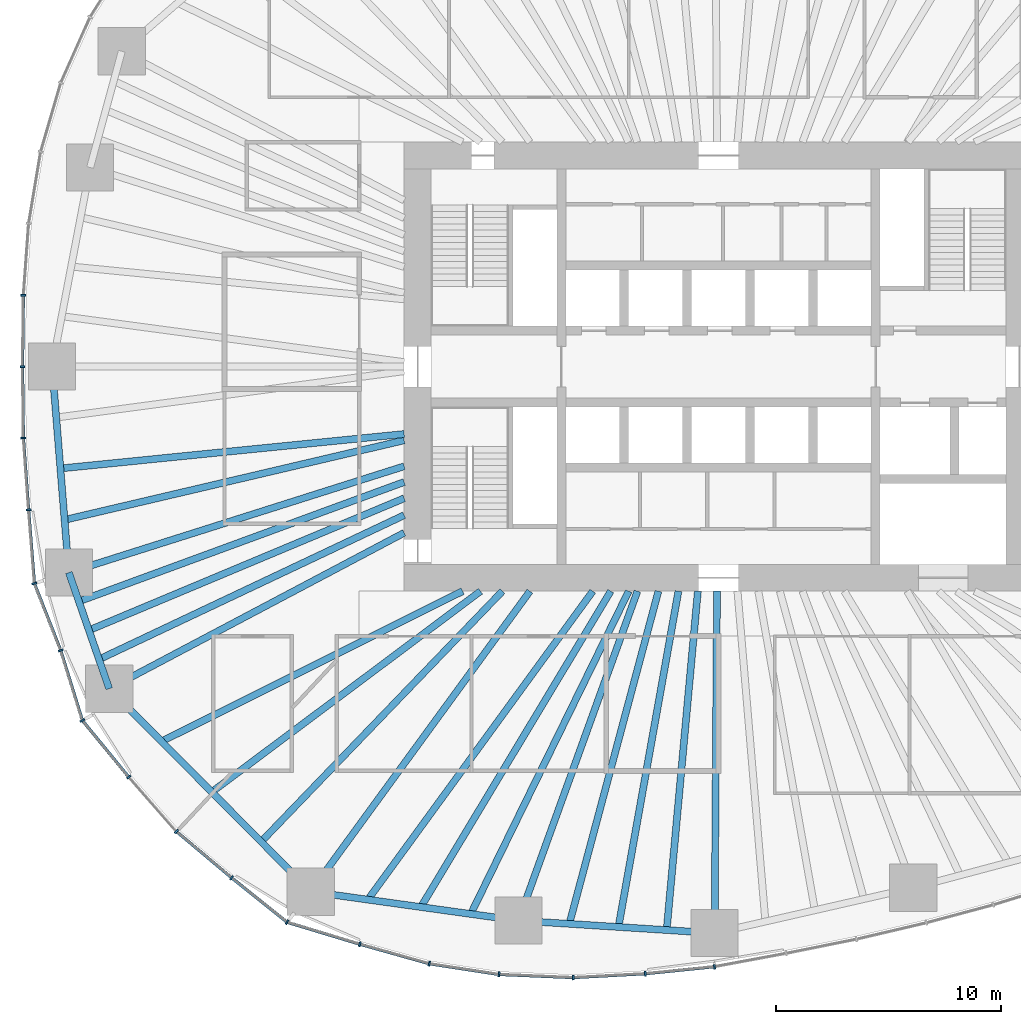
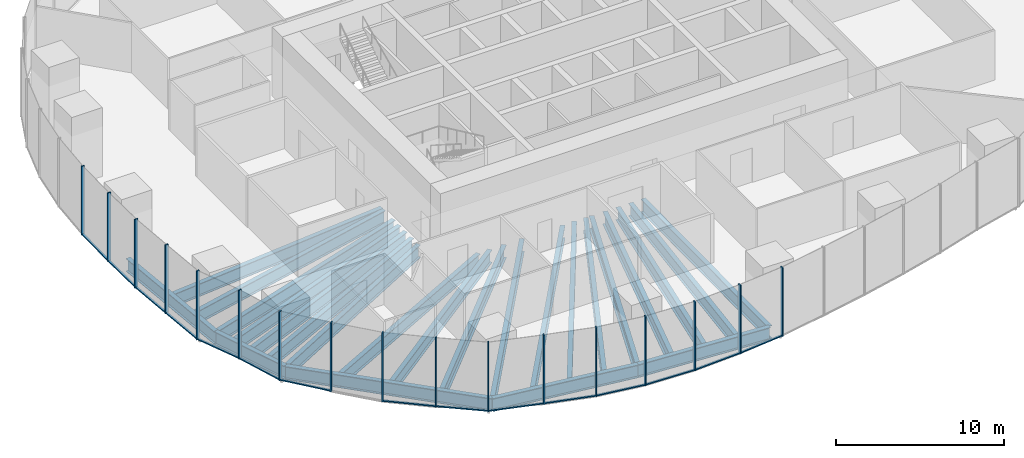
# One storey, part 2 of 20: 32 members, 24 beams, 7 elements without a shape of their own.
"""IFC4 building model written with IfcOpenShell, lengths in metres."""

from ifc_helpers import new_model, si_unit, direction, frame, origin, origin_2d, place, context, subcontext, project, spatial, rectangle, i_section, extrude, material, material_profile, profile_set, type_object, element, aggregate, save


model = new_model("IFC4")

# Units and contexts
model_context = context("Model", 3, precision=1e-05, world=origin(), true_north=direction((0.0, 1.0)))
body_context = subcontext(model_context, "Body", "Model", "MODEL_VIEW")
ifc_project = project(units=[si_unit("LENGTHUNIT", "METRE"), si_unit("AREAUNIT", "SQUARE_METRE"), si_unit("VOLUMEUNIT", "CUBIC_METRE"), si_unit("PLANEANGLEUNIT", "RADIAN"), si_unit("MASSUNIT", "GRAM", prefix="KILO")], contexts=[model_context])

# Site, building, storey
site_placement = place(None, origin())
site = spatial("IfcSite", under=ifc_project, at=site_placement, CompositionType="ELEMENT")
building_placement = place(site_placement, origin())
building = spatial("IfcBuilding", under=site, at=building_placement, Name="Ghaith Harvest Tower", CompositionType="ELEMENT")
storey_placement = place(building_placement, frame((0.0, 0.0, 30.0)))
storey = spatial("IfcBuildingStorey", under=building, at=storey_placement, Name="L06", CompositionType="ELEMENT", Elevation=30.0)

# Curtain wall, member
ifc_material_1 = material(Name="Black anodised aluminium and fritted glass", Category="aluminium")
curtain_wall_type = type_object("IfcCurtainWallType", Name="CW-F CURTAIN WALL", PredefinedType="NOTDEFINED", material=ifc_material_1)
curtain_wall_1_placement = place(storey_placement, origin())
curtain_wall_1 = element("IfcCurtainWall", 1, at=curtain_wall_1_placement, inside=storey, type_object=curtain_wall_type, Name="Curtain wall CW-F bay 10 L06", PredefinedType="NOTDEFINED")
ifc_material_2 = material(Name="Aluminium, black anodised", Category="aluminium")
ifc_material_profile_1 = material_profile(ifc_material_2, rectangle(XDim=0.080078125, YDim=0.219970703125, at=origin_2d()), Name="CW-F MULLION 80x220")
ifc_profile_set_1 = profile_set([ifc_material_profile_1], Name="Aluminium, black anodised")
member_type_1 = type_object("IfcMemberType", Name="CW-F MULLION 80x220", PredefinedType="MULLION", material=ifc_profile_set_1)
member_1_placement = place(storey_placement, frame((-30.95654296875, 3.177978515625, 0.0), z_axis=(0.0, 0.0, 1.0), x_axis=(-0.042427007767, -0.999099569118, 0.0)))
member_1 = element("IfcMember", 2, at=member_1_placement, type_object=member_type_1, Name="CW-F mullion 3 bay 10 L06", PredefinedType="MULLION", context=body_context, shape_type="SweptSolid", body=[
    extrude(rectangle(XDim=0.080078125, YDim=0.219970703125, at=origin_2d()), origin(), (0.0, 0.0, 1.0), 5.0),
])

# Curtain wall, members
curtain_wall_2_placement = place(storey_placement, origin())
curtain_wall_2 = element("IfcCurtainWall", 3, at=curtain_wall_2_placement, inside=storey, type_object=curtain_wall_type, Name="Curtain wall CW-F bay 11 L06", PredefinedType="NOTDEFINED")
member_2_placement = place(storey_placement, frame((-30.9951171875, 0.0, 0.0), z_axis=(0.0, 0.0, 1.0), x_axis=(1.4e-10, -1.0, 0.0)))
member_2 = element("IfcMember", 4, at=member_2_placement, type_object=member_type_1, Name="CW-F mullion 1 bay 11 L06", PredefinedType="MULLION", context=body_context, shape_type="SweptSolid", body=[
    extrude(rectangle(XDim=0.080078125, YDim=0.219970703125, at=origin_2d()), origin(), (0.0, 0.0, 1.0), 5.0),
])
member_3_placement = place(storey_placement, frame((-30.95654296875, -3.177978515625, 0.0), z_axis=(0.0, 0.0, 1.0), x_axis=(0.042427007872, -0.999099569114, 0.0)))
member_3 = element("IfcMember", 5, at=member_3_placement, type_object=member_type_1, Name="CW-F mullion 2 bay 11 L06", PredefinedType="MULLION", context=body_context, shape_type="SweptSolid", body=[
    extrude(rectangle(XDim=0.080078125, YDim=0.219970703125, at=origin_2d()), origin(), (0.0, 0.0, 1.0), 5.0),
])
member_4_placement = place(storey_placement, frame((-30.724365234375, -6.37548828125, 0.0), z_axis=(0.0, 0.0, 1.0), x_axis=(0.07568573288, -0.997131721408, 0.0)))
member_4 = element("IfcMember", 6, at=member_4_placement, type_object=member_type_1, Name="CW-F mullion 3 bay 11 L06", PredefinedType="MULLION", context=body_context, shape_type="SweptSolid", body=[
    extrude(rectangle(XDim=0.080078125, YDim=0.219970703125, at=origin_2d()), origin(), (0.0, 0.0, 1.0), 5.0),
])

curtain_wall_3_placement = place(storey_placement, origin())
curtain_wall_3 = element("IfcCurtainWall", 7, at=curtain_wall_3_placement, inside=storey, type_object=curtain_wall_type, Name="Curtain wall CW-F bay 12 L06", PredefinedType="NOTDEFINED")
member_5_placement = place(storey_placement, frame((-30.46484375, -9.65478515625, 0.0), z_axis=(0.0, 0.0, 1.0), x_axis=(0.222967363441, -0.974825910017, 0.0)))
member_5 = element("IfcMember", 8, at=member_5_placement, type_object=member_type_1, Name="CW-F mullion 1 bay 12 L06", PredefinedType="MULLION", context=body_context, shape_type="SweptSolid", body=[
    extrude(rectangle(XDim=0.080078125, YDim=0.219970703125, at=origin_2d()), origin(), (0.0, 0.0, 1.0), 5.0),
])
member_6_placement = place(storey_placement, frame((-29.29248046875, -12.63525390625, 0.0), z_axis=(0.0, 0.0, 1.0), x_axis=(0.330700518925, -0.943735750506, 0.0)))
member_6 = element("IfcMember", 9, at=member_6_placement, type_object=member_type_1, Name="CW-F mullion 2 bay 12 L06", PredefinedType="MULLION", context=body_context, shape_type="SweptSolid", body=[
    extrude(rectangle(XDim=0.080078125, YDim=0.219970703125, at=origin_2d()), origin(), (0.0, 0.0, 1.0), 5.0),
])
member_7_placement = place(storey_placement, frame((-28.3271484375, -15.7548828125, 0.0), z_axis=(0.0, 0.0, 1.0), x_axis=(0.473265082527, -0.880920065421, 0.0)))
member_7 = element("IfcMember", 10, at=member_7_placement, type_object=member_type_1, Name="CW-F mullion 3 bay 12 L06", PredefinedType="MULLION", context=body_context, shape_type="SweptSolid", body=[
    extrude(rectangle(XDim=0.080078125, YDim=0.219970703125, at=origin_2d()), origin(), (0.0, 0.0, 1.0), 5.0),
])

curtain_wall_4_placement = place(storey_placement, origin())
curtain_wall_4 = element("IfcCurtainWall", 11, at=curtain_wall_4_placement, inside=storey, type_object=curtain_wall_type, Name="Curtain wall CW-F bay 13 L06", PredefinedType="NOTDEFINED")
member_8_placement = place(storey_placement, frame((-26.26318359375, -18.274169921875, 0.0), z_axis=(0.0, 0.0, 1.0), x_axis=(0.646523538748, -0.762894038412, 0.0)))
member_8 = element("IfcMember", 12, at=member_8_placement, type_object=member_type_1, Name="CW-F mullion 1 bay 13 L06", PredefinedType="MULLION", context=body_context, shape_type="SweptSolid", body=[
    extrude(rectangle(XDim=0.080078125, YDim=0.219970703125, at=origin_2d()), origin(), (0.0, 0.0, 1.0), 5.0),
])
member_9_placement = place(storey_placement, frame((-24.139404296875, -20.696533203125, 0.0), z_axis=(0.0, 0.0, 1.0), x_axis=(0.714663248554, -0.699468684907, 0.0)))
member_9 = element("IfcMember", 13, at=member_9_placement, type_object=member_type_1, Name="CW-F mullion 2 bay 13 L06", PredefinedType="MULLION", context=body_context, shape_type="SweptSolid", body=[
    extrude(rectangle(XDim=0.080078125, YDim=0.219970703125, at=origin_2d()), origin(), (0.0, 0.0, 1.0), 5.0),
])
member_10_placement = place(storey_placement, frame((-21.681640625, -22.758056640625, 0.0), z_axis=(0.0, 0.0, 1.0), x_axis=(0.773138721505, -0.634236956751, 0.0)))
member_10 = element("IfcMember", 14, at=member_10_placement, type_object=member_type_1, Name="CW-F mullion 3 bay 13 L06", PredefinedType="MULLION", context=body_context, shape_type="SweptSolid", body=[
    extrude(rectangle(XDim=0.080078125, YDim=0.219970703125, at=origin_2d()), origin(), (0.0, 0.0, 1.0), 5.0),
])

curtain_wall_5_placement = place(storey_placement, origin())
curtain_wall_5 = element("IfcCurtainWall", 15, at=curtain_wall_5_placement, inside=storey, type_object=curtain_wall_type, Name="Curtain wall CW-F bay 14 L06", PredefinedType="NOTDEFINED")
member_11_placement = place(storey_placement, frame((-19.212646484375, -24.73828125, 0.0), z_axis=(0.0, 0.0, 1.0), x_axis=(0.887912253774, -0.460012858079, 0.0)))
member_11 = element("IfcMember", 16, at=member_11_placement, type_object=member_type_1, Name="CW-F mullion 1 bay 14 L06", PredefinedType="MULLION", context=body_context, shape_type="SweptSolid", body=[
    extrude(rectangle(XDim=0.080078125, YDim=0.219970703125, at=origin_2d()), origin(), (0.0, 0.0, 1.0), 5.0),
])
member_12_placement = place(storey_placement, frame((-15.97119140625, -25.716552734375, 0.0), z_axis=(0.0, 0.0, 1.0), x_axis=(0.960008876539, -0.279969564356, 0.0)))
member_12 = element("IfcMember", 17, at=member_12_placement, type_object=member_type_1, Name="CW-F mullion 2 bay 14 L06", PredefinedType="MULLION", context=body_context, shape_type="SweptSolid", body=[
    extrude(rectangle(XDim=0.080078125, YDim=0.219970703125, at=origin_2d()), origin(), (0.0, 0.0, 1.0), 5.0),
])
member_13_placement = place(storey_placement, frame((-12.880615234375, -26.5849609375, 0.0), z_axis=(0.0, 0.0, 1.0), x_axis=(0.977207016024, -0.212288595628, 0.0)))
member_13 = element("IfcMember", 18, at=member_13_placement, type_object=member_type_1, Name="CW-F mullion 3 bay 14 L06", PredefinedType="MULLION", context=body_context, shape_type="SweptSolid", body=[
    extrude(rectangle(XDim=0.080078125, YDim=0.219970703125, at=origin_2d()), origin(), (0.0, 0.0, 1.0), 5.0),
])

curtain_wall_6_placement = place(storey_placement, origin())
curtain_wall_6 = element("IfcCurtainWall", 19, at=curtain_wall_6_placement, inside=storey, type_object=curtain_wall_type, Name="Curtain wall CW-F bay 15 L06", PredefinedType="NOTDEFINED")
member_14_placement = place(storey_placement, frame((-9.7744140625, -27.062744140625, 0.0), z_axis=(0.0, 0.0, 1.0), x_axis=(0.995408459417, -0.095718331168, 0.0)))
member_14 = element("IfcMember", 20, at=member_14_placement, type_object=member_type_1, Name="CW-F mullion 1 bay 15 L06", PredefinedType="MULLION", context=body_context, shape_type="SweptSolid", body=[
    extrude(rectangle(XDim=0.080078125, YDim=0.219970703125, at=origin_2d()), origin(), (0.0, 0.0, 1.0), 5.0),
])
member_15_placement = place(storey_placement, frame((-6.465087890625, -27.20166015625, 0.0), z_axis=(0.0, 0.0, 1.0), x_axis=(0.999987206373, 0.005058368251, 0.0)))
member_15 = element("IfcMember", 21, at=member_15_placement, type_object=member_type_1, Name="CW-F mullion 2 bay 15 L06", PredefinedType="MULLION", context=body_context, shape_type="SweptSolid", body=[
    extrude(rectangle(XDim=0.080078125, YDim=0.219970703125, at=origin_2d()), origin(), (0.0, 0.0, 1.0), 5.0),
])
member_16_placement = place(storey_placement, frame((-3.261962890625, -27.02978515625, 0.0), z_axis=(0.0, 0.0, 1.0), x_axis=(0.997037536276, 0.07691652135, 0.0)))
member_16 = element("IfcMember", 22, at=member_16_placement, type_object=member_type_1, Name="CW-F mullion 3 bay 15 L06", PredefinedType="MULLION", context=body_context, shape_type="SweptSolid", body=[
    extrude(rectangle(XDim=0.080078125, YDim=0.219970703125, at=origin_2d()), origin(), (0.0, 0.0, 1.0), 5.0),
])

# Curtain wall, member
curtain_wall_7_placement = place(storey_placement, origin())
curtain_wall_7 = element("IfcCurtainWall", 23, at=curtain_wall_7_placement, inside=storey, type_object=curtain_wall_type, Name="Curtain wall CW-F bay 16 L06", PredefinedType="NOTDEFINED")
member_17_placement = place(storey_placement, frame((-0.182861328125, -26.717041015625, 0.0), z_axis=(0.0, 0.0, 1.0), x_axis=(0.98971187144, 0.143074845907, 0.0)))
member_17 = element("IfcMember", 24, at=member_17_placement, type_object=member_type_1, Name="CW-F mullion 1 bay 16 L06", PredefinedType="MULLION", context=body_context, shape_type="SweptSolid", body=[
    extrude(rectangle(XDim=0.080078125, YDim=0.219970703125, at=origin_2d()), origin(), (0.0, 0.0, 1.0), 5.0),
])
aggregate(curtain_wall_7, [member_17])

# Member
ifc_material_3 = material(Name="Aluminium, black anodised", Category="aluminium")
ifc_material_profile_2 = material_profile(ifc_material_3, rectangle(XDim=0.139892578125, YDim=0.080078125, at=origin_2d()), Name="CW-F TRANSOM 140x80")
ifc_profile_set_2 = profile_set([ifc_material_profile_2], Name="Aluminium, black anodised")
member_type_2 = type_object("IfcMemberType", Name="CW-F TRANSOM 140x80", PredefinedType="USERDEFINED", material=ifc_profile_set_2)
member_18_placement = place(storey_placement, frame((-30.95703125, 3.137939453125, 0.0400390625), z_axis=(-0.012135602457, -0.999926360865, 0.0), x_axis=(0.999926360865, -0.012135602457, 0.0)))
member_18 = element("IfcMember", 25, at=member_18_placement, type_object=member_type_2, Name="CW-F transom 3 bay 10 L06", ObjectType="TRANSOM", PredefinedType="USERDEFINED", context=body_context, shape_type="SweptSolid", body=[
    extrude(rectangle(XDim=0.139892578125, YDim=0.080078125, at=origin_2d()), origin(), (0.0, 0.0, 1.0), 3.09814453125),
])

aggregate(curtain_wall_1, [member_1, member_18])

member_19_placement = place(storey_placement, frame((-30.99462890625, -0.0400390625, 0.0400390625), z_axis=(0.012135602457, -0.999926360865, 0.0), x_axis=(0.999926360865, 0.012135602457, 0.0)))
member_19 = element("IfcMember", 26, at=member_19_placement, type_object=member_type_2, Name="CW-F transom 1 bay 11 L06", ObjectType="TRANSOM", PredefinedType="USERDEFINED", context=body_context, shape_type="SweptSolid", body=[
    extrude(rectangle(XDim=0.139892578125, YDim=0.080078125, at=origin_2d()), origin(), (0.0, 0.0, 1.0), 3.09814453125),
])

member_20_placement = place(storey_placement, frame((-30.95361328125, -3.2177734375, 0.0400390625), z_axis=(0.072473547161, -0.997370334912, 0.0), x_axis=(0.997370334912, 0.072473547161, 0.0)))
member_20 = element("IfcMember", 27, at=member_20_placement, type_object=member_type_2, Name="CW-F transom 2 bay 11 L06", ObjectType="TRANSOM", PredefinedType="USERDEFINED", context=body_context, shape_type="SweptSolid", body=[
    extrude(rectangle(XDim=0.139892578125, YDim=0.080078125, at=origin_2d()), origin(), (0.0, 0.0, 1.0), 3.126220703125),
])

member_21_placement = place(storey_placement, frame((-30.72119140625, -6.415283203125, 0.0400390625), z_axis=(0.078877539502, -0.996884313129, 0.0), x_axis=(0.996884313129, 0.078877539502, 0.0)))
member_21 = element("IfcMember", 28, at=member_21_placement, type_object=member_type_2, Name="CW-F transom 3 bay 11 L06", ObjectType="TRANSOM", PredefinedType="USERDEFINED", context=body_context, shape_type="SweptSolid", body=[
    extrude(rectangle(XDim=0.139892578125, YDim=0.080078125, at=origin_2d()), origin(), (0.0, 0.0, 1.0), 3.209716796875),
])

aggregate(curtain_wall_2, [member_2, member_19, member_3, member_20, member_4, member_21])

member_22_placement = place(storey_placement, frame((-30.4501953125, -9.692138671875, 0.0400390625), z_axis=(0.366046617161, -0.93059651518, 0.0), x_axis=(0.93059651518, 0.366046617161, 0.0)))
member_22 = element("IfcMember", 29, at=member_22_placement, type_object=member_type_2, Name="CW-F transom 1 bay 12 L06", ObjectType="TRANSOM", PredefinedType="USERDEFINED", context=body_context, shape_type="SweptSolid", body=[
    extrude(rectangle(XDim=0.139892578125, YDim=0.080078125, at=origin_2d()), origin(), (0.0, 0.0, 1.0), 3.122802734375),
])

member_23_placement = place(storey_placement, frame((-29.28076171875, -12.673583984375, 0.0400390625), z_axis=(0.295598800908, -0.955312173534, 0.0), x_axis=(0.955312173534, 0.295598800908, 0.0)))
member_23 = element("IfcMember", 30, at=member_23_placement, type_object=member_type_2, Name="CW-F transom 2 bay 12 L06", ObjectType="TRANSOM", PredefinedType="USERDEFINED", context=body_context, shape_type="SweptSolid", body=[
    extrude(rectangle(XDim=0.139892578125, YDim=0.080078125, at=origin_2d()), origin(), (0.0, 0.0, 1.0), 3.185546875),
])

member_24_placement = place(storey_placement, frame((-28.302001953125, -15.785888671875, 0.0400390625), z_axis=(0.633790042943, -0.773505126982, 0.0), x_axis=(0.773505126982, 0.633790042943, 0.0)))
member_24 = element("IfcMember", 31, at=member_24_placement, type_object=member_type_2, Name="CW-F transom 3 bay 12 L06", ObjectType="TRANSOM", PredefinedType="USERDEFINED", context=body_context, shape_type="SweptSolid", body=[
    extrude(rectangle(XDim=0.139892578125, YDim=0.080078125, at=origin_2d()), origin(), (0.0, 0.0, 1.0), 3.1767578125),
])

aggregate(curtain_wall_3, [member_5, member_22, member_6, member_23, member_7, member_24])

member_25_placement = place(storey_placement, frame((-24.10888671875, -20.72216796875, 0.0400390625), z_axis=(0.766144434184, -0.642668426149, 0.0), x_axis=(0.642668426149, 0.766144434184, 0.0)))
member_25 = element("IfcMember", 32, at=member_25_placement, type_object=member_type_2, Name="CW-F transom 2 bay 13 L06", ObjectType="TRANSOM", PredefinedType="USERDEFINED", context=body_context, shape_type="SweptSolid", body=[
    extrude(rectangle(XDim=0.139892578125, YDim=0.080078125, at=origin_2d()), origin(), (0.0, 0.0, 1.0), 3.1279296875),
])

member_26_placement = place(storey_placement, frame((-21.650634765625, -22.783203125, 0.0400390625), z_axis=(0.780181223133, -0.625553562112, 0.0), x_axis=(0.625553562112, 0.780181223133, 0.0)))
member_26 = element("IfcMember", 33, at=member_26_placement, type_object=member_type_2, Name="CW-F transom 3 bay 13 L06", ObjectType="TRANSOM", PredefinedType="USERDEFINED", context=body_context, shape_type="SweptSolid", body=[
    extrude(rectangle(XDim=0.139892578125, YDim=0.080078125, at=origin_2d()), origin(), (0.0, 0.0, 1.0), 3.085205078125),
])

aggregate(curtain_wall_4, [member_8, member_9, member_25, member_10, member_26])

member_27_placement = place(storey_placement, frame((-19.17431640625, -24.749755859375, 0.0400390625), z_axis=(0.957335035376, -0.288980328121, 0.0), x_axis=(0.288980328121, 0.957335035376, 0.0)))
member_27 = element("IfcMember", 34, at=member_27_placement, type_object=member_type_2, Name="CW-F transom 1 bay 14 L06", ObjectType="TRANSOM", PredefinedType="USERDEFINED", context=body_context, shape_type="SweptSolid", body=[
    extrude(rectangle(XDim=0.139892578125, YDim=0.080078125, at=origin_2d()), origin(), (0.0, 0.0, 1.0), 3.305908203125),
])

member_28_placement = place(storey_placement, frame((-15.9326171875, -25.727294921875, 0.0400390625), z_axis=(0.962727128991, -0.270474536888, 0.0), x_axis=(0.270474536888, 0.962727128991, 0.0)))
member_28 = element("IfcMember", 35, at=member_28_placement, type_object=member_type_2, Name="CW-F transom 2 bay 14 L06", ObjectType="TRANSOM", PredefinedType="USERDEFINED", context=body_context, shape_type="SweptSolid", body=[
    extrude(rectangle(XDim=0.139892578125, YDim=0.080078125, at=origin_2d()), origin(), (0.0, 0.0, 1.0), 3.13037109375),
])

member_29_placement = place(storey_placement, frame((-12.841064453125, -26.591064453125, 0.0400390625), z_axis=(0.988378147633, -0.152015253451, 0.0), x_axis=(0.152015253451, 0.988378147633, 0.0)))
member_29 = element("IfcMember", 36, at=member_29_placement, type_object=member_type_2, Name="CW-F transom 3 bay 14 L06", ObjectType="TRANSOM", PredefinedType="USERDEFINED", context=body_context, shape_type="SweptSolid", body=[
    extrude(rectangle(XDim=0.139892578125, YDim=0.080078125, at=origin_2d()), origin(), (0.0, 0.0, 1.0), 3.062744140625),
])

aggregate(curtain_wall_5, [member_11, member_27, member_12, member_28, member_13, member_29])

member_30_placement = place(storey_placement, frame((-9.734375, -27.064453125, 0.0400390625), z_axis=(0.999117688764, -0.04199814281, 0.0), x_axis=(0.04199814281, 0.999117688764, 0.0)))
member_30 = element("IfcMember", 37, at=member_30_placement, type_object=member_type_2, Name="CW-F transom 1 bay 15 L06", ObjectType="TRANSOM", PredefinedType="USERDEFINED", context=body_context, shape_type="SweptSolid", body=[
    extrude(rectangle(XDim=0.139892578125, YDim=0.080078125, at=origin_2d()), origin(), (0.0, 0.0, 1.0), 3.232177734375),
])

member_31_placement = place(storey_placement, frame((-6.42529296875, -27.19970703125, 0.0400390625), z_axis=(0.99856142387, 0.053619798202, 0.0), x_axis=(-0.053619798202, 0.99856142387, 0.0)))
member_31 = element("IfcMember", 38, at=member_31_placement, type_object=member_type_2, Name="CW-F transom 2 bay 15 L06", ObjectType="TRANSOM", PredefinedType="USERDEFINED", context=body_context, shape_type="SweptSolid", body=[
    extrude(rectangle(XDim=0.139892578125, YDim=0.080078125, at=origin_2d()), origin(), (0.0, 0.0, 1.0), 3.1279296875),
])

member_32_placement = place(storey_placement, frame((-3.22216796875, -27.02587890625, 0.0400390625), z_axis=(0.994880435036, 0.101058992587, 0.0), x_axis=(-0.101058992587, 0.994880435036, 0.0)))
member_32 = element("IfcMember", 39, at=member_32_placement, type_object=member_type_2, Name="CW-F transom 3 bay 15 L06", ObjectType="TRANSOM", PredefinedType="USERDEFINED", context=body_context, shape_type="SweptSolid", body=[
    extrude(rectangle(XDim=0.139892578125, YDim=0.080078125, at=origin_2d()), origin(), (0.0, 0.0, 1.0), 3.014892578125),
])

aggregate(curtain_wall_6, [member_14, member_30, member_15, member_31, member_16, member_32])

# Beams
ifc_material_4 = material(Name="Steel ASTM A992 Grade 50", Category="steel")
ifc_material_profile_3 = material_profile(ifc_material_4, i_section(OverallWidth=0.306884765625, OverallDepth=0.94189453125, WebThickness=0.022216796875, FlangeThickness=0.039794921875, at=origin_2d()), Name="W920X345")
ifc_profile_set_3 = profile_set([ifc_material_profile_3], Name="Steel ASTM A992 Grade 50")
beam_type_1 = type_object("IfcBeamType", Name="E920-345 W920X345", PredefinedType="SPANDREL", material=ifc_profile_set_3)
beam_1_placement = place(storey_placement, frame((-29.675048828125, 0.0, -0.6708984375), z_axis=(0.081006863421, -0.996713543642, 0.0), x_axis=(0.996713543642, 0.081006863421, 0.0)))
element("IfcBeam", 40, at=beam_1_placement, inside=storey, type_object=beam_type_1, Name="Edge beam E11 L06", PredefinedType="SPANDREL", context=body_context, shape_type="SweptSolid", body=[
    extrude(i_section(OverallWidth=0.306884765625, OverallDepth=0.94189453125, WebThickness=0.022216796875, FlangeThickness=0.039794921875, at=origin_2d()), origin(), (0.0, 0.0, 1.0), 9.1982421875),
])
beam_2_placement = place(storey_placement, frame((-28.929931640625, -9.16796875, -0.6708984375), z_axis=(0.328278550319, -0.944580961803, 0.0), x_axis=(0.944580961803, 0.328278550319, 0.0)))
element("IfcBeam", 41, at=beam_2_placement, inside=storey, type_object=beam_type_1, Name="Edge beam E12 L06", PredefinedType="SPANDREL", context=body_context, shape_type="SweptSolid", body=[
    extrude(i_section(OverallWidth=0.306884765625, OverallDepth=0.94189453125, WebThickness=0.022216796875, FlangeThickness=0.039794921875, at=origin_2d()), origin(), (0.0, 0.0, 1.0), 5.4765625),
])
beam_3_placement = place(storey_placement, frame((-27.132080078125, -14.341064453125, -0.6708984375), z_axis=(0.704562513714, -0.709641926798, 0.0), x_axis=(0.709641926798, 0.704562513714, 0.0)))
element("IfcBeam", 42, at=beam_3_placement, inside=storey, type_object=beam_type_1, Name="Edge beam E13 L06", PredefinedType="SPANDREL", context=body_context, shape_type="SweptSolid", body=[
    extrude(i_section(OverallWidth=0.306884765625, OverallDepth=0.94189453125, WebThickness=0.022216796875, FlangeThickness=0.039794921875, at=origin_2d()), origin(), (0.0, 0.0, 1.0), 12.737060546875),
])
beam_4_placement = place(storey_placement, frame((-18.157958984375, -23.3798828125, -0.6708984375), z_axis=(0.990441143901, -0.137936001352, 0.0), x_axis=(0.137936001352, 0.990441143901, 0.0)))
element("IfcBeam", 43, at=beam_4_placement, inside=storey, type_object=beam_type_1, Name="Edge beam E14 L06", PredefinedType="SPANDREL", context=body_context, shape_type="SweptSolid", body=[
    extrude(i_section(OverallWidth=0.306884765625, OverallDepth=0.94189453125, WebThickness=0.022216796875, FlangeThickness=0.039794921875, at=origin_2d()), origin(), (0.0, 0.0, 1.0), 9.33837890625),
])
beam_5_placement = place(storey_placement, frame((-8.908935546875, -24.66796875, -0.6708984375), z_axis=(0.99797963184, -0.063534671101, 0.0), x_axis=(0.063534671101, 0.99797963184, 0.0)))
element("IfcBeam", 44, at=beam_5_placement, inside=storey, type_object=beam_type_1, Name="Edge beam E15 L06", PredefinedType="SPANDREL", context=body_context, shape_type="SweptSolid", body=[
    extrude(i_section(OverallWidth=0.306884765625, OverallDepth=0.94189453125, WebThickness=0.022216796875, FlangeThickness=0.039794921875, at=origin_2d()), origin(), (0.0, 0.0, 1.0), 8.75341796875),
])
ifc_material_5 = material(Name="Steel ASTM A992 Grade 50", Category="steel")
ifc_material_profile_4 = material_profile(ifc_material_5, i_section(OverallWidth=0.306884765625, OverallDepth=0.94189453125, WebThickness=0.022216796875, FlangeThickness=0.039794921875, at=origin_2d()), Name="W920X345")
ifc_profile_set_4 = profile_set([ifc_material_profile_4], Name="Steel ASTM A992 Grade 50")
beam_type_2 = type_object("IfcBeamType", Name="G920-345 W920X345", PredefinedType="BEAM", material=ifc_profile_set_4)
beam_6_placement = place(storey_placement, frame((-14.0, -4.43701171875, -0.6708984375), z_axis=(-0.953284407194, -0.302074227636, 0.0), x_axis=(0.302074227636, -0.953284407194, 0.0)))
element("IfcBeam", 45, at=beam_6_placement, inside=storey, type_object=beam_type_2, Name="Radial girder G12 L06", PredefinedType="BEAM", context=body_context, shape_type="SweptSolid", body=[
    extrude(i_section(OverallWidth=0.306884765625, OverallDepth=0.94189453125, WebThickness=0.022216796875, FlangeThickness=0.039794921875, at=origin_2d()), origin(), (0.0, 0.0, 1.0), 15.66162109375),
])
beam_7_placement = place(storey_placement, frame((-14.0, -7.39990234375, -0.6708984375), z_axis=(-0.884097171481, -0.467303104397, 0.0), x_axis=(0.467303104397, -0.884097171481, 0.0)))
element("IfcBeam", 46, at=beam_7_placement, inside=storey, type_object=beam_type_2, Name="Radial girder G13 L06", PredefinedType="BEAM", context=body_context, shape_type="SweptSolid", body=[
    extrude(i_section(OverallWidth=0.306884765625, OverallDepth=0.94189453125, WebThickness=0.022216796875, FlangeThickness=0.039794921875, at=origin_2d()), origin(), (0.0, 0.0, 1.0), 14.853759765625),
])
beam_8_placement = place(storey_placement, frame((-8.39990234375, -10.0, -0.6708984375), z_axis=(-0.589246749374, -0.807953134997, 0.0), x_axis=(0.807953134997, -0.589246749374, 0.0)))
element("IfcBeam", 47, at=beam_8_placement, inside=storey, type_object=beam_type_2, Name="Radial girder G14 L06", PredefinedType="BEAM", context=body_context, shape_type="SweptSolid", body=[
    extrude(i_section(OverallWidth=0.306884765625, OverallDepth=0.94189453125, WebThickness=0.022216796875, FlangeThickness=0.039794921875, at=origin_2d()), origin(), (0.0, 0.0, 1.0), 16.560302734375),
])
beam_9_placement = place(storey_placement, frame((-3.61181640625, -10.0, -0.6708984375), z_axis=(-0.339664467784, -0.940546675782, 0.0), x_axis=(0.940546675782, -0.339664467784, 0.0)))
element("IfcBeam", 48, at=beam_9_placement, inside=storey, type_object=beam_type_2, Name="Radial girder G15 L06", PredefinedType="BEAM", context=body_context, shape_type="SweptSolid", body=[
    extrude(i_section(OverallWidth=0.306884765625, OverallDepth=0.94189453125, WebThickness=0.022216796875, FlangeThickness=0.039794921875, at=origin_2d()), origin(), (0.0, 0.0, 1.0), 15.59521484375),
])
beam_10_placement = place(storey_placement, frame((-0.068359375, -10.0, -0.6708984375), z_axis=(-0.006879467722, -0.999976336182, 0.0), x_axis=(0.999976336182, -0.006879467722, 0.0)))
element("IfcBeam", 49, at=beam_10_placement, inside=storey, type_object=beam_type_2, Name="Radial girder G16 L06", PredefinedType="BEAM", context=body_context, shape_type="SweptSolid", body=[
    extrude(i_section(OverallWidth=0.306884765625, OverallDepth=0.94189453125, WebThickness=0.022216796875, FlangeThickness=0.039794921875, at=origin_2d()), origin(), (0.0, 0.0, 1.0), 15.224365234375),
])
ifc_material_6 = material(Name="Steel ASTM A992 Grade 50", Category="steel")
ifc_material_profile_5 = material_profile(ifc_material_6, i_section(OverallWidth=0.31005859375, OverallDepth=0.927001953125, WebThickness=0.019287109375, FlangeThickness=0.031982421875, at=origin_2d()), Name="W920X289")
ifc_profile_set_5 = profile_set([ifc_material_profile_5], Name="Steel ASTM A992 Grade 50")
beam_type_3 = type_object("IfcBeamType", Name="J920-289 W920X289", PredefinedType="JOIST", material=ifc_profile_set_5)
beam_11_placement = place(storey_placement, frame((-14.0, -3.0, -0.66357421875), z_axis=(-0.995023982133, -0.099635711366, 0.0), x_axis=(0.099635711366, -0.995023982133, 0.0)))
element("IfcBeam", 50, at=beam_11_placement, inside=storey, type_object=beam_type_3, Name="Joist J11.2 L06", PredefinedType="JOIST", context=body_context, shape_type="SweptSolid", body=[
    extrude(i_section(OverallWidth=0.31005859375, OverallDepth=0.927001953125, WebThickness=0.019287109375, FlangeThickness=0.031982421875, at=origin_2d()), origin(), (0.0, 0.0, 1.0), 15.38330078125),
])
beam_12_placement = place(storey_placement, frame((-14.0, -3.280517578125, -0.66357421875), z_axis=(-0.973622531394, -0.228164778969, 0.0), x_axis=(0.228164778969, -0.973622531394, 0.0)))
element("IfcBeam", 51, at=beam_12_placement, inside=storey, type_object=beam_type_3, Name="Joist J11.3 L06", PredefinedType="JOIST", context=body_context, shape_type="SweptSolid", body=[
    extrude(i_section(OverallWidth=0.31005859375, OverallDepth=0.927001953125, WebThickness=0.019287109375, FlangeThickness=0.031982421875, at=origin_2d()), origin(), (0.0, 0.0, 1.0), 15.5302734375),
])
beam_13_placement = place(storey_placement, frame((-14.0, -5.137939453125, -0.66357421875), z_axis=(-0.938772784742, -0.344536875569, 0.0), x_axis=(0.344536875569, -0.938772784742, 0.0)))
element("IfcBeam", 52, at=beam_13_placement, inside=storey, type_object=beam_type_3, Name="Joist J12.1 L06", PredefinedType="JOIST", context=body_context, shape_type="SweptSolid", body=[
    extrude(i_section(OverallWidth=0.31005859375, OverallDepth=0.927001953125, WebThickness=0.019287109375, FlangeThickness=0.031982421875, at=origin_2d()), origin(), (0.0, 0.0, 1.0), 15.427734375),
])
beam_14_placement = place(storey_placement, frame((-14.0, -5.862548828125, -0.66357421875), z_axis=(-0.922389547545, -0.386260951404, 0.0), x_axis=(0.386260951404, -0.922389547545, 0.0)))
element("IfcBeam", 53, at=beam_14_placement, inside=storey, type_object=beam_type_3, Name="Joist J12.2 L06", PredefinedType="JOIST", context=body_context, shape_type="SweptSolid", body=[
    extrude(i_section(OverallWidth=0.31005859375, OverallDepth=0.927001953125, WebThickness=0.019287109375, FlangeThickness=0.031982421875, at=origin_2d()), origin(), (0.0, 0.0, 1.0), 15.216796875),
])
beam_15_placement = place(storey_placement, frame((-14.0, -6.614990234375, -0.66357421875), z_axis=(-0.904152605228, -0.427209628239, 0.0), x_axis=(0.427209628239, -0.904152605228, 0.0)))
element("IfcBeam", 54, at=beam_15_placement, inside=storey, type_object=beam_type_3, Name="Joist J12.3 L06", PredefinedType="JOIST", context=body_context, shape_type="SweptSolid", body=[
    extrude(i_section(OverallWidth=0.31005859375, OverallDepth=0.927001953125, WebThickness=0.019287109375, FlangeThickness=0.031982421875, at=origin_2d()), origin(), (0.0, 0.0, 1.0), 15.0263671875),
])
beam_16_placement = place(storey_placement, frame((-11.39990234375, -10.0, -0.66357421875), z_axis=(-0.894746445211, -0.446574516495, 0.0), x_axis=(0.446574516495, -0.894746445211, 0.0)))
element("IfcBeam", 55, at=beam_16_placement, inside=storey, type_object=beam_type_3, Name="Joist J13.1 L06", PredefinedType="JOIST", context=body_context, shape_type="SweptSolid", body=[
    extrude(i_section(OverallWidth=0.31005859375, OverallDepth=0.927001953125, WebThickness=0.019287109375, FlangeThickness=0.031982421875, at=origin_2d()), origin(), (0.0, 0.0, 1.0), 14.977783203125),
])
beam_17_placement = place(storey_placement, frame((-10.60009765625, -10.0, -0.66357421875), z_axis=(-0.800995319048, -0.598670609653, 0.0), x_axis=(0.598670609653, -0.800995319048, 0.0)))
element("IfcBeam", 56, at=beam_17_placement, inside=storey, type_object=beam_type_3, Name="Joist J13.2 L06", PredefinedType="JOIST", context=body_context, shape_type="SweptSolid", body=[
    extrude(i_section(OverallWidth=0.31005859375, OverallDepth=0.927001953125, WebThickness=0.019287109375, FlangeThickness=0.031982421875, at=origin_2d()), origin(), (0.0, 0.0, 1.0), 14.936279296875),
])
beam_18_placement = place(storey_placement, frame((-1.785888671875, -10.0, -0.66357421875), z_axis=(-0.175792307544, -0.984427277461, 0.0), x_axis=(0.984427277461, -0.175792307544, 0.0)))
element("IfcBeam", 57, at=beam_18_placement, inside=storey, type_object=beam_type_3, Name="Joist J15.2 L06", PredefinedType="JOIST", context=body_context, shape_type="SweptSolid", body=[
    extrude(i_section(OverallWidth=0.31005859375, OverallDepth=0.927001953125, WebThickness=0.019287109375, FlangeThickness=0.031982421875, at=origin_2d()), origin(), (0.0, 0.0, 1.0), 15.18798828125),
])
beam_19_placement = place(storey_placement, frame((-0.92041015625, -10.0, -0.66357421875), z_axis=(-0.091651457116, -0.995791147987, 0.0), x_axis=(0.995791147987, -0.091651457116, 0.0)))
element("IfcBeam", 58, at=beam_19_placement, inside=storey, type_object=beam_type_3, Name="Joist J15.3 L06", PredefinedType="JOIST", context=body_context, shape_type="SweptSolid", body=[
    extrude(i_section(OverallWidth=0.31005859375, OverallDepth=0.927001953125, WebThickness=0.019287109375, FlangeThickness=0.031982421875, at=origin_2d()), origin(), (0.0, 0.0, 1.0), 15.151611328125),
])
ifc_material_7 = material(Name="Steel ASTM A992 Grade 50", Category="steel")
ifc_material_profile_6 = material_profile(ifc_material_7, i_section(OverallWidth=0.306884765625, OverallDepth=0.94189453125, WebThickness=0.022216796875, FlangeThickness=0.039794921875, at=origin_2d()), Name="W920X345")
ifc_profile_set_6 = profile_set([ifc_material_profile_6], Name="Steel ASTM A992 Grade 50")
beam_type_4 = type_object("IfcBeamType", Name="J920-345 W920X345", PredefinedType="JOIST", material=ifc_profile_set_6)
beam_20_placement = place(storey_placement, frame((-9.626708984375, -10.0, -0.6708984375), z_axis=(-0.69353836378, -0.720419695709, 0.0), x_axis=(0.720419695709, -0.69353836378, 0.0)))
element("IfcBeam", 59, at=beam_20_placement, inside=storey, type_object=beam_type_4, Name="Joist J13.3 L06", PredefinedType="JOIST", context=body_context, shape_type="SweptSolid", body=[
    extrude(i_section(OverallWidth=0.306884765625, OverallDepth=0.94189453125, WebThickness=0.022216796875, FlangeThickness=0.039794921875, at=origin_2d()), origin(), (0.0, 0.0, 1.0), 15.485107421875),
])
beam_21_placement = place(storey_placement, frame((-5.60009765625, -10.0, -0.6708984375), z_axis=(-0.589160240072, -0.808016219836, 0.0), x_axis=(0.808016219836, -0.589160240072, 0.0)))
element("IfcBeam", 60, at=beam_21_placement, inside=storey, type_object=beam_type_4, Name="Joist J14.1 L06", PredefinedType="JOIST", context=body_context, shape_type="SweptSolid", body=[
    extrude(i_section(OverallWidth=0.306884765625, OverallDepth=0.94189453125, WebThickness=0.022216796875, FlangeThickness=0.039794921875, at=origin_2d()), origin(), (0.0, 0.0, 1.0), 16.997314453125),
])
beam_22_placement = place(storey_placement, frame((-4.800048828125, -10.0, -0.6708984375), z_axis=(-0.515226384897, -0.85705412449, 0.0), x_axis=(0.85705412449, -0.515226384897, 0.0)))
element("IfcBeam", 61, at=beam_22_placement, inside=storey, type_object=beam_type_4, Name="Joist J14.2 L06", PredefinedType="JOIST", context=body_context, shape_type="SweptSolid", body=[
    extrude(i_section(OverallWidth=0.306884765625, OverallDepth=0.94189453125, WebThickness=0.022216796875, FlangeThickness=0.039794921875, at=origin_2d()), origin(), (0.0, 0.0, 1.0), 16.408447265625),
])
beam_23_placement = place(storey_placement, frame((-4.0, -10.0, -0.6708984375), z_axis=(-0.439463806704, -0.898260297797, 0.0), x_axis=(0.898260297797, -0.439463806704, 0.0)))
element("IfcBeam", 62, at=beam_23_placement, inside=storey, type_object=beam_type_4, Name="Joist J14.3 L06", PredefinedType="JOIST", context=body_context, shape_type="SweptSolid", body=[
    extrude(i_section(OverallWidth=0.306884765625, OverallDepth=0.94189453125, WebThickness=0.022216796875, FlangeThickness=0.039794921875, at=origin_2d()), origin(), (0.0, 0.0, 1.0), 16.000244140625),
])
beam_24_placement = place(storey_placement, frame((-2.677978515625, -10.0, -0.6708984375), z_axis=(-0.258693109612, -0.965959561803, 0.0), x_axis=(0.965959561803, -0.258693109612, 0.0)))
element("IfcBeam", 63, at=beam_24_placement, inside=storey, type_object=beam_type_4, Name="Joist J15.1 L06", PredefinedType="JOIST", context=body_context, shape_type="SweptSolid", body=[
    extrude(i_section(OverallWidth=0.306884765625, OverallDepth=0.94189453125, WebThickness=0.022216796875, FlangeThickness=0.039794921875, at=origin_2d()), origin(), (0.0, 0.0, 1.0), 15.333984375),
])

save(model, "model.ifc")
